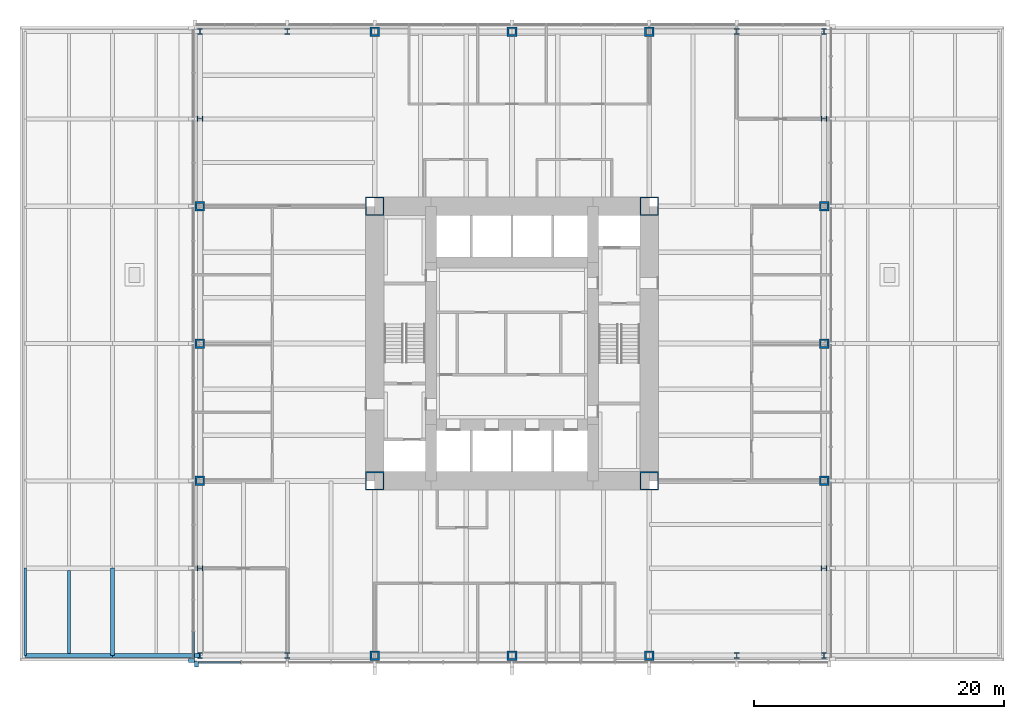
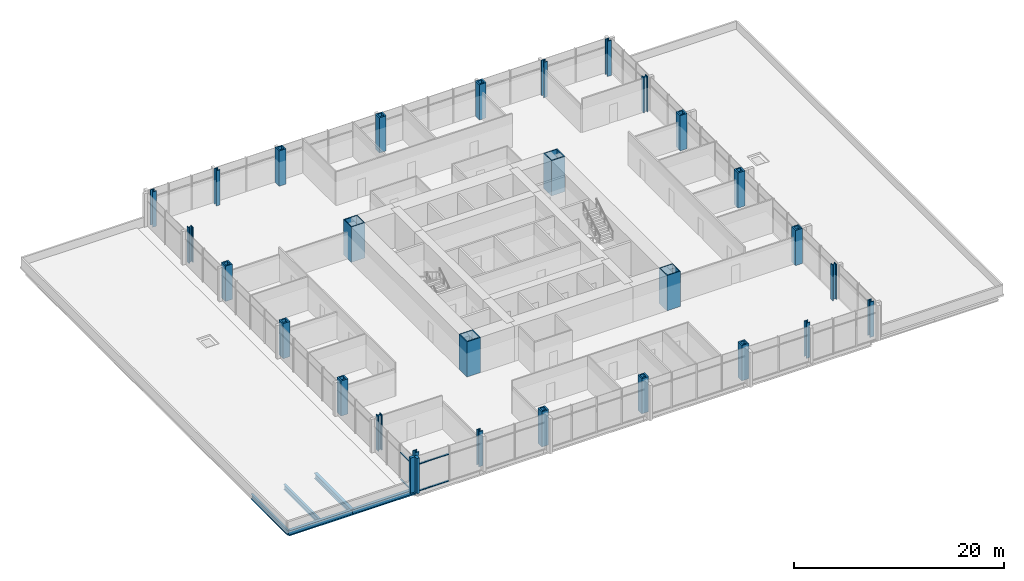
# One storey, part 1 of 15: 28 columns, 6 members, 5 beams, 2 elements without a shape of their own.
"""IFC4 building model written with IfcOpenShell, lengths in metres."""

from ifc_helpers import new_model, si_unit, direction, frame, origin, origin_2d, place, context, subcontext, project, spatial, rectangle, hollow_rectangle, i_section, extrude, material, material_profile, profile_set, type_object, element, aggregate, save


model = new_model("IFC4")

# Units and contexts
model_context = context("Model", 3, precision=1e-05, world=origin(), true_north=direction((0.0, 1.0)))
body_context = subcontext(model_context, "Body", "Model", "MODEL_VIEW")
ifc_project = project(units=[si_unit("LENGTHUNIT", "METRE"), si_unit("AREAUNIT", "SQUARE_METRE"), si_unit("VOLUMEUNIT", "CUBIC_METRE"), si_unit("PLANEANGLEUNIT", "RADIAN"), si_unit("MASSUNIT", "GRAM", prefix="KILO")], contexts=[model_context])

# Site, building, storey
site_placement = place(None, origin())
site = spatial("IfcSite", under=ifc_project, at=site_placement, CompositionType="ELEMENT")
building_placement = place(site_placement, origin())
building = spatial("IfcBuilding", under=site, at=building_placement, Name="Trevanion Tower", CompositionType="ELEMENT")
storey_placement = place(building_placement, frame((0.0, 0.0, 16.0)))
storey = spatial("IfcBuildingStorey", under=building, at=storey_placement, Name="L03", CompositionType="ELEMENT", Elevation=16.0)

# Columns
ifc_material_1 = material(Name="Steel ASTM A588 Grade 50", Category="steel")
ifc_material_profile_1 = material_profile(ifc_material_1, hollow_rectangle(XDim=0.761962890625, YDim=0.761962890625, WallThickness=0.15234375, at=origin_2d()), Name="BOX30X30X6")
ifc_profile_set_1 = profile_set([ifc_material_profile_1], Name="Steel ASTM A588 Grade 50")
column_type_1 = type_object("IfcColumnType", Name="C1 BOX30X30X6", PredefinedType="COLUMN", material=ifc_profile_set_1)
for number, where, z_axis, x_axis, name in (
    (1, (-25.0, 0.0, 0.0), (0.0, 0.0, 1.0), (0.0, 1.0, 0.0), "C1 3/H L03"),
    (2, (-25.0, -11.0, 0.0), (0.0, 0.0, 1.0), (0.0, 1.0, 0.0), "C1 3/F L03"),
    (3, (-11.0, -25.0, 0.0), (0.0, 0.0, 1.0), (1.0, 0.0, 0.0), "C1 8/A L03"),
    (4, (0.0, -25.0, 0.0), (0.0, 0.0, 1.0), (1.0, 0.0, 0.0), "C1 10/A L03"),
    (5, (11.0, -25.0, 0.0), (0.0, 0.0, 1.0), (1.0, 0.0, 0.0), "C1 12/A L03"),
    (6, (25.0, -11.0, 0.0), (0.0, 0.0, 1.0), (0.0, 1.0, 0.0), "C1 17/F L03"),
    (7, (25.0, 0.0, 0.0), (0.0, 0.0, 1.0), (0.0, 1.0, 0.0), "C1 17/H L03"),
    (8, (25.0, 11.0, 0.0), (0.0, 0.0, 1.0), (0.0, 1.0, 0.0), "C1 17/K L03"),
    (9, (11.0, 25.0, 0.0), (0.0, 0.0, 1.0), (1.0, 0.0, 0.0), "C1 12/Q L03"),
    (10, (0.0, 25.0, 0.0), (0.0, 0.0, 1.0), (1.0, 0.0, 0.0), "C1 10/Q L03"),
    (11, (-11.0, 25.0, 0.0), (0.0, 0.0, 1.0), (1.0, 0.0, 0.0), "C1 8/Q L03"),
    (12, (-25.0, 11.0, 0.0), (0.0, 0.0, 1.0), (0.0, 1.0, 0.0), "C1 3/K L03"),
):
    element("IfcColumn", number, at=place(storey_placement, frame(where, z_axis=z_axis, x_axis=x_axis)), inside=storey, type_object=column_type_1, Name=name, PredefinedType="COLUMN", context=body_context, shape_type="SweptSolid", body=[
        extrude(hollow_rectangle(XDim=0.761962890625, YDim=0.761962890625, WallThickness=0.15234375, at=origin_2d()), origin(), (0.0, 0.0, 1.0), 4.10009765625),
    ])
ifc_material_2 = material(Name="Steel ASTM A913 Grade 65", Category="steel")
ifc_material_profile_2 = material_profile(ifc_material_2, i_section(OverallWidth=0.4267578125, OverallDepth=0.482666015625, WebThickness=0.05126953125, FlangeThickness=0.08154296875, at=origin_2d()), Name="W14X455")
ifc_profile_set_2 = profile_set([ifc_material_profile_2], Name="Steel ASTM A913 Grade 65")
column_type_2 = type_object("IfcColumnType", Name="C2 W14X455", PredefinedType="COLUMN", material=ifc_profile_set_2)
for number, where, z_axis, x_axis, name in (
    (13, (-25.0, -18.0, 0.0), (0.0, 0.0, 1.0), (0.0, 1.0, 0.0), "C2 3/D L03"),
    (14, (-25.0, -25.0, 0.0), (0.0, 0.0, 1.0), (1.0, 0.0, 0.0), "C2 3/A L03"),
    (15, (-18.0, -25.0, 0.0), (0.0, 0.0, 1.0), (1.0, 0.0, 0.0), "C2 6/A L03"),
    (16, (18.0, -25.0, 0.0), (0.0, 0.0, 1.0), (1.0, 0.0, 0.0), "C2 14/A L03"),
    (17, (25.0, -25.0, 0.0), (0.0, 0.0, 1.0), (1.0, 0.0, 0.0), "C2 17/A L03"),
    (18, (25.0, -18.0, 0.0), (0.0, 0.0, 1.0), (0.0, 1.0, 0.0), "C2 17/D L03"),
    (19, (25.0, 18.0, 0.0), (0.0, 0.0, 1.0), (0.0, 1.0, 0.0), "C2 17/M L03"),
    (20, (25.0, 25.0, 0.0), (0.0, 0.0, 1.0), (1.0, 0.0, 0.0), "C2 17/Q L03"),
    (21, (18.0, 25.0, 0.0), (0.0, 0.0, 1.0), (1.0, 0.0, 0.0), "C2 14/Q L03"),
    (22, (-18.0, 25.0, 0.0), (0.0, 0.0, 1.0), (1.0, 0.0, 0.0), "C2 6/Q L03"),
    (23, (-25.0, 25.0, 0.0), (0.0, 0.0, 1.0), (1.0, 0.0, 0.0), "C2 3/Q L03"),
    (24, (-25.0, 18.0, 0.0), (0.0, 0.0, 1.0), (0.0, 1.0, 0.0), "C2 3/M L03"),
):
    element("IfcColumn", number, at=place(storey_placement, frame(where, z_axis=z_axis, x_axis=x_axis)), inside=storey, type_object=column_type_2, Name=name, PredefinedType="COLUMN", context=body_context, shape_type="SweptSolid", body=[
        extrude(i_section(OverallWidth=0.4267578125, OverallDepth=0.482666015625, WebThickness=0.05126953125, FlangeThickness=0.08154296875, at=origin_2d()), origin(), (0.0, 0.0, 1.0), 4.10009765625),
    ])
ifc_material_3 = material(Name="Steel ASTM A572 Grade 50", Category="steel")
ifc_material_profile_3 = material_profile(ifc_material_3, hollow_rectangle(XDim=1.49853515625, YDim=1.49853515625, WallThickness=0.1015625, at=origin_2d()), Name="BOX59X59X4")
ifc_profile_set_3 = profile_set([ifc_material_profile_3], Name="Steel ASTM A572 Grade 50")
column_type_3 = type_object("IfcColumnType", Name="CB1 BOX59X59X4", PredefinedType="COLUMN", material=ifc_profile_set_3)
for number, where, z_axis, x_axis, name in (
    (25, (11.0, 11.0, 0.0), (0.0, 0.0, 1.0), (1.0, 0.0, 0.0), "CB1 NE L03"),
    (26, (-11.0, 11.0, 0.0), (0.0, 0.0, 1.0), (1.0, 0.0, 0.0), "CB1 NW L03"),
    (27, (-11.0, -11.0, 0.0), (0.0, 0.0, 1.0), (1.0, 0.0, 0.0), "CB1 SW L03"),
    (28, (11.0, -11.0, 0.0), (0.0, 0.0, 1.0), (1.0, 0.0, 0.0), "CB1 SE L03"),
):
    element("IfcColumn", number, at=place(storey_placement, frame(where, z_axis=z_axis, x_axis=x_axis)), inside=storey, type_object=column_type_3, Name=name, PredefinedType="COLUMN", context=body_context, shape_type="SweptSolid", body=[
        extrude(hollow_rectangle(XDim=1.49853515625, YDim=1.49853515625, WallThickness=0.1015625, at=origin_2d()), origin(), (0.0, 0.0, 1.0), 4.10009765625),
    ])

# Curtain wall, member
ifc_material_4 = material(Name="Aluminium and glass", Category="aluminium")
curtain_wall_type = type_object("IfcCurtainWallType", Name="CW1 curtain wall", PredefinedType="USERDEFINED", material=ifc_material_4)
curtain_wall_1_placement = place(storey_placement, origin())
curtain_wall_1 = element("IfcCurtainWall", 29, at=curtain_wall_1_placement, inside=storey, type_object=curtain_wall_type, Name="CW1 L03 2", ObjectType="UNITISED CURTAIN WALL", PredefinedType="USERDEFINED")
ifc_material_5 = material(Name="Aluminium extrusion, anodised bronze", Category="aluminium")
ifc_material_profile_4 = material_profile(ifc_material_5, rectangle(XDim=0.300048828125, YDim=0.5, at=origin_2d()), Name="CW1 pier mullion")
ifc_profile_set_4 = profile_set([ifc_material_profile_4], Name="Aluminium extrusion, anodised bronze")
member_type_1 = type_object("IfcMemberType", Name="CW1 pier mullion", PredefinedType="MULLION", material=ifc_profile_set_4)
member_1_placement = place(storey_placement, frame((-25.675048828125, -25.39990234375, -0.18994140625), z_axis=(0.0, 0.0, 1.0), x_axis=(0.0, -1.0, 0.0)))
member_1 = element("IfcMember", 30, at=member_1_placement, type_object=member_type_1, Name="CW1 pier mullion 18", PredefinedType="MULLION", context=body_context, shape_type="SweptSolid", body=[
    extrude(rectangle(XDim=0.300048828125, YDim=0.5, at=origin_2d()), origin(), (0.0, 0.0, 1.0), 4.099853515625),
])

curtain_wall_2_placement = place(storey_placement, origin())
curtain_wall_2 = element("IfcCurtainWall", 31, at=curtain_wall_2_placement, inside=storey, type_object=curtain_wall_type, Name="CW1 L03 3", ObjectType="UNITISED CURTAIN WALL", PredefinedType="USERDEFINED")
member_2_placement = place(storey_placement, frame((-25.27001953125, -25.675048828125, -0.18994140625), z_axis=(0.0, 0.0, 1.0), x_axis=(1.0, 0.0, 0.0)))
member_2 = element("IfcMember", 32, at=member_2_placement, type_object=member_type_1, Name="CW1 pier mullion 1", PredefinedType="MULLION", context=body_context, shape_type="SweptSolid", body=[
    extrude(rectangle(XDim=0.300048828125, YDim=0.5, at=origin_2d()), origin(), (0.0, 0.0, 1.0), 4.099853515625),
])

# Member
ifc_material_6 = material(Name="Aluminium extrusion, anodised bronze", Category="aluminium")
ifc_material_profile_5 = material_profile(ifc_material_6, rectangle(XDim=0.14990234375, YDim=0.074951171875, at=origin_2d()), Name="CW1 transom")
ifc_profile_set_5 = profile_set([ifc_material_profile_5], Name="Aluminium extrusion, anodised bronze")
member_type_2 = type_object("IfcMemberType", Name="CW1 transom", PredefinedType="USERDEFINED", material=ifc_profile_set_5)
member_3_placement = place(storey_placement, frame((-25.550048828125, -23.07080078125, -0.152587890625), z_axis=(0.0, -1.0, 0.0), x_axis=(1.0, 0.0, 0.0)))
member_3 = element("IfcMember", 33, at=member_3_placement, type_object=member_type_2, Name="CW1 transom 17.1", ObjectType="TRANSOM", PredefinedType="USERDEFINED", context=body_context, shape_type="SweptSolid", body=[
    extrude(rectangle(XDim=0.14990234375, YDim=0.074951171875, at=origin_2d()), origin(), (0.0, 0.0, 1.0), 2.17919921875),
])

member_4_placement = place(storey_placement, frame((-25.550048828125, -23.07080078125, 2.9599609375), z_axis=(0.0, -1.0, 0.0), x_axis=(1.0, 0.0, 0.0)))
member_4 = element("IfcMember", 34, at=member_4_placement, type_object=member_type_2, Name="CW1 transom 17.2", ObjectType="TRANSOM", PredefinedType="USERDEFINED", context=body_context, shape_type="SweptSolid", body=[
    extrude(rectangle(XDim=0.14990234375, YDim=0.074951171875, at=origin_2d()), origin(), (0.0, 0.0, 1.0), 2.17919921875),
])

aggregate(curtain_wall_1, [member_1, member_3, member_4])

member_5_placement = place(storey_placement, frame((-25.1201171875, -25.550048828125, -0.152587890625), z_axis=(1.0, 0.0, 0.0), x_axis=(0.0, 1.0, 0.0)))
member_5 = element("IfcMember", 35, at=member_5_placement, type_object=member_type_2, Name="CW1 transom 1.1", ObjectType="TRANSOM", PredefinedType="USERDEFINED", context=body_context, shape_type="SweptSolid", body=[
    extrude(rectangle(XDim=0.14990234375, YDim=0.074951171875, at=origin_2d()), origin(), (0.0, 0.0, 1.0), 3.37255859375),
])

member_6_placement = place(storey_placement, frame((-25.1201171875, -25.550048828125, 2.9599609375), z_axis=(1.0, 0.0, 0.0), x_axis=(0.0, 1.0, 0.0)))
member_6 = element("IfcMember", 36, at=member_6_placement, type_object=member_type_2, Name="CW1 transom 1.2", ObjectType="TRANSOM", PredefinedType="USERDEFINED", context=body_context, shape_type="SweptSolid", body=[
    extrude(rectangle(XDim=0.14990234375, YDim=0.074951171875, at=origin_2d()), origin(), (0.0, 0.0, 1.0), 3.37255859375),
])

aggregate(curtain_wall_2, [member_2, member_5, member_6])

# Beams
ifc_material_7 = material(Name="Steel ASTM A992 Grade 50", Category="steel")
ifc_material_profile_6 = material_profile(ifc_material_7, i_section(OverallWidth=0.228271484375, OverallDepth=0.607177734375, WebThickness=0.01123046875, FlangeThickness=0.017333984375, at=origin_2d()), Name="W24X76")
ifc_profile_set_6 = profile_set([ifc_material_profile_6], Name="Steel ASTM A992 Grade 50")
beam_type_1 = type_object("IfcBeamType", Name="WB1 W24X76", PredefinedType="BEAM", material=ifc_profile_set_6)
beam_1_placement = place(storey_placement, frame((-35.5, -18.16259765625, -0.493408203125), z_axis=(0.0, -1.0, 0.0), x_axis=(1.0, 0.0, 0.0)))
element("IfcBeam", 37, at=beam_1_placement, inside=storey, type_object=beam_type_1, Name="WB1 L03", PredefinedType="BEAM", context=body_context, shape_type="SweptSolid", body=[
    extrude(i_section(OverallWidth=0.228271484375, OverallDepth=0.607177734375, WebThickness=0.01123046875, FlangeThickness=0.017333984375, at=origin_2d()), origin(), (0.0, 0.0, 1.0), 6.6748046875),
])
ifc_material_8 = material(Name="Steel ASTM A992 Grade 50", Category="steel")
ifc_material_profile_7 = material_profile(ifc_material_8, i_section(OverallWidth=0.227783203125, OverallDepth=0.60205078125, WebThickness=0.010498046875, FlangeThickness=0.014892578125, at=origin_2d()), Name="W24X68")
ifc_profile_set_7 = profile_set([ifc_material_profile_7], Name="Steel ASTM A992 Grade 50")
beam_type_2 = type_object("IfcBeamType", Name="WE1 W24X68", PredefinedType="SPANDREL", material=ifc_profile_set_7)
beam_2_placement = place(storey_placement, frame((-39.0, -18.0, -0.490966796875), z_axis=(0.0, -1.0, 0.0), x_axis=(1.0, 0.0, 0.0)))
element("IfcBeam", 38, at=beam_2_placement, inside=storey, type_object=beam_type_2, Name="WE1 L03", PredefinedType="SPANDREL", context=body_context, shape_type="SweptSolid", body=[
    extrude(i_section(OverallWidth=0.227783203125, OverallDepth=0.60205078125, WebThickness=0.010498046875, FlangeThickness=0.014892578125, at=origin_2d()), origin(), (0.0, 0.0, 1.0), 7.0),
])
ifc_material_9 = material(Name="Steel ASTM A992 Grade 50", Category="steel")
ifc_material_profile_8 = material_profile(ifc_material_9, i_section(OverallWidth=0.3251953125, OverallDepth=0.612060546875, WebThickness=0.0126953125, FlangeThickness=0.01904296875, at=origin_2d()), Name="W24X104")
ifc_profile_set_8 = profile_set([ifc_material_profile_8], Name="Steel ASTM A992 Grade 50")
beam_type_3 = type_object("IfcBeamType", Name="WG1 W24X104", PredefinedType="BEAM", material=ifc_profile_set_8)
for number, where, z_axis, x_axis, name in (
    (39, (-25.0, -25.0, -0.49609375), (-1.0, 0.0, 0.0), (0.0, -1.0, 0.0), "WG1 L03"),
    (40, (-32.0, -25.0, -0.49609375), (-1.0, 0.0, 0.0), (0.0, -1.0, 0.0), "WG1 L03"),
    (41, (-32.0, -18.0, -0.49609375), (0.0, -1.0, 0.0), (1.0, 0.0, 0.0), "WG1 L03"),
):
    element("IfcBeam", number, at=place(storey_placement, frame(where, z_axis=z_axis, x_axis=x_axis)), inside=storey, type_object=beam_type_3, Name=name, PredefinedType="BEAM", context=body_context, shape_type="SweptSolid", body=[
        extrude(i_section(OverallWidth=0.3251953125, OverallDepth=0.612060546875, WebThickness=0.0126953125, FlangeThickness=0.01904296875, at=origin_2d()), origin(), (0.0, 0.0, 1.0), 7.0),
    ])

save(model, "model.ifc")
